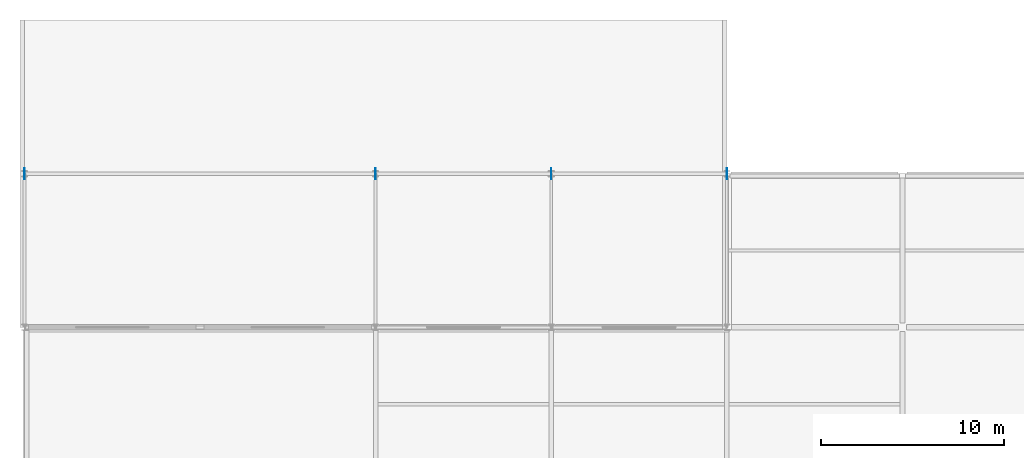
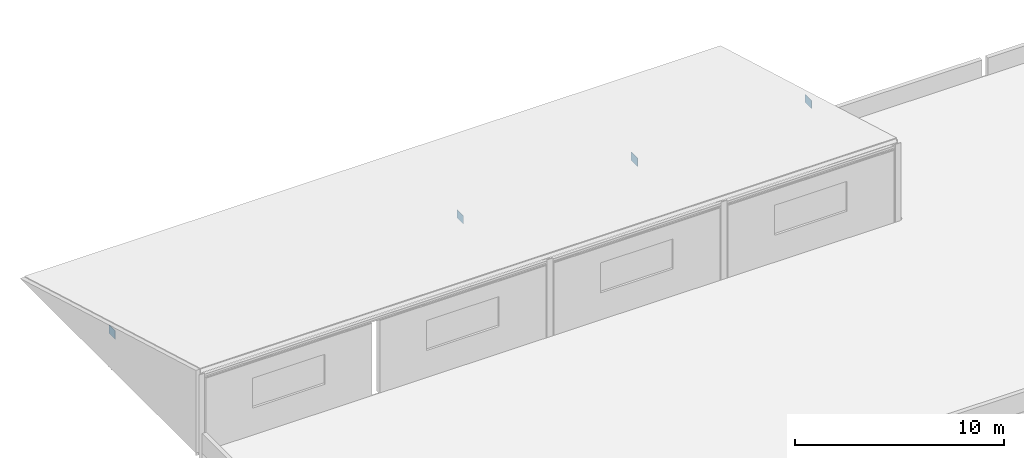
# One storey, part 37 of 52: 4 plates.
"""IFC4 building model written with IfcOpenShell, lengths in metres."""

import ifcopenshell
import ifcopenshell.guid

model = None  # the IFC model being written
_history = None  # IfcOwnerHistory: only IFC2X3 demands one
_inside = {}  # id of a spatial element -> (the spatial element, [elements in it])
_under = {}  # id of a project, library or spatial element -> (it, [spatial elements below it])
_declared = {}  # id of a project -> (the project, [libraries it declares])
_typed = {}  # id of a type object -> (the type object, [elements of that type])
_made_of = {}  # id of a material, layer set ... -> (it, [elements and type objects made of it])


def new_model(schema):
    """Start an empty IFC model of exactly this schema.

    Asked for "IFC4X3", IfcOpenShell would pick the latest addendum, in which some entities
    have other attributes; the version numbers below select the first issue.
    IFC2X3 requires an IfcOwnerHistory on every rooted entity: one is made here for all.
    """
    global model, _history
    if schema == "IFC4X3":
        model = ifcopenshell.file(schema_version=(4, 3, 0, 0))
    else:
        model = ifcopenshell.file(schema=schema)
    _inside.clear()
    _under.clear()
    _declared.clear()
    _typed.clear()
    _made_of.clear()
    _history = None
    if model.schema == "IFC2X3":
        org = make("IfcOrganization", Name="unknown")
        user = make(
            "IfcPersonAndOrganization",
            ThePerson=make("IfcPerson", FamilyName="unknown"),
            TheOrganization=org,
        )
        app = make(
            "IfcApplication",
            ApplicationDeveloper=org,
            Version="unknown",
            ApplicationFullName="unknown",
            ApplicationIdentifier="unknown",
        )
        _history = make(
            "IfcOwnerHistory",
            OwningUser=user,
            OwningApplication=app,
            ChangeAction="ADDED",
            CreationDate=0,
        )
    return model


def make(cls, **values):
    """One entity of the class cls with the attributes given. An attribute that is None is left unset."""
    return model.create_entity(
        cls, **{name: value for name, value in values.items() if value is not None}
    )


def rooted(cls, **values):
    """An entity with a GlobalId (a new one), such as an element, a storey or a relation."""
    return make(cls, GlobalId=ifcopenshell.guid.new(), OwnerHistory=_history, **values)


def si_unit(unit_type, name, prefix=None):
    """IfcSIUnit, for example si_unit("LENGTHUNIT", "METRE", prefix="MILLI")."""
    return make("IfcSIUnit", UnitType=unit_type, Prefix=prefix, Name=name)


def assignment(units):
    """IfcUnitAssignment: the units of a project."""
    return None if units is None else make("IfcUnitAssignment", Units=units)


def point(xyz):
    """IfcCartesianPoint."""
    return None if xyz is None else make("IfcCartesianPoint", Coordinates=xyz)


def direction(xyz):
    """IfcDirection."""
    return None if xyz is None else make("IfcDirection", DirectionRatios=xyz)


def frame(location, z_axis=None, x_axis=None):
    """IfcAxis2Placement3D, a coordinate frame: its origin and axes. An axis left out is left unset."""
    return make(
        "IfcAxis2Placement3D",
        Location=point(location),
        Axis=direction(z_axis),
        RefDirection=direction(x_axis),
    )


def frame_2d(location, x_axis=None):
    """IfcAxis2Placement2D, a coordinate frame in the plane: its origin and x axis."""
    return make(
        "IfcAxis2Placement2D", Location=point(location), RefDirection=direction(x_axis)
    )


def origin():
    """The frame at (0, 0, 0) with its axes left unset."""
    return frame((0.0, 0.0, 0.0))


def origin_2d():
    """The frame at (0, 0) in the plane with its x axis left unset."""
    return frame_2d((0.0, 0.0))


def place(relative_to, where):
    """IfcLocalPlacement: puts the frame where relative to a parent placement (None: the world)."""
    return make(
        "IfcLocalPlacement", PlacementRelTo=relative_to, RelativePlacement=where
    )


def context(
    kind, dimensions, precision=None, world=None, true_north=None, identifier=None
):
    """IfcGeometricRepresentationContext, for example the 3D "Model" context."""
    return make(
        "IfcGeometricRepresentationContext",
        ContextIdentifier=identifier,
        ContextType=kind,
        CoordinateSpaceDimension=dimensions,
        Precision=precision,
        WorldCoordinateSystem=world,
        TrueNorth=true_north,
    )


def subcontext(parent, identifier, kind, view, scale=None):
    """IfcGeometricRepresentationSubContext, for example "Body" below "Model"."""
    return make(
        "IfcGeometricRepresentationSubContext",
        ContextIdentifier=identifier,
        ContextType=kind,
        ParentContext=parent,
        TargetScale=scale,
        TargetView=view,
    )


def project(units=None, contexts=None):
    """IfcProject with its units and contexts."""
    return rooted(
        "IfcProject",
        Name="project",
        RepresentationContexts=contexts,
        UnitsInContext=assignment(units),
    )


def spatial(cls, under=None, at=None, **own):
    """A site, building, storey or space (cls), placed at a placement, below another one or the project."""
    s = rooted(cls, ObjectPlacement=at, **own)
    if under is not None:
        _under.setdefault(under.id(), (under, []))[1].append(s)
    return s


def profile(cls, at=None, kind="AREA", **sizes):
    """A parametric profile (cls). Its sizes go by their IFC names, for example OverallWidth=200.0."""
    return make(cls, ProfileType=kind, Position=at, **sizes)


def rectangle(**sizes):
    """IfcRectangleProfileDef."""
    return profile("IfcRectangleProfileDef", **sizes)


def extrude(swept, where, along, depth):
    """IfcExtrudedAreaSolid: the profile swept, set in the frame where, extruded along a direction by depth."""
    return make(
        "IfcExtrudedAreaSolid",
        SweptArea=swept,
        Position=where,
        ExtrudedDirection=direction(along),
        Depth=depth,
    )


def shape(context_of_items, identifier, shape_type, items):
    """IfcShapeRepresentation: the items that make up one representation, for example the "Body"."""
    return make(
        "IfcShapeRepresentation",
        ContextOfItems=context_of_items,
        RepresentationIdentifier=identifier,
        RepresentationType=shape_type,
        Items=items,
    )


def material(Name=None, Category=None):
    """IfcMaterial."""
    return make("IfcMaterial", Name=Name, Category=Category)


def layer(
    of_material, thickness, ventilated=None, Name=None, Category=None, Priority=None
):
    """IfcMaterialLayer: one layer of a wall or slab, of a material (None: an air gap)."""
    return make(
        "IfcMaterialLayer",
        Material=of_material,
        LayerThickness=thickness,
        IsVentilated=ventilated,
        Name=Name,
        Category=Category,
        Priority=Priority,
    )


def layer_set(layers, Name=None):
    """IfcMaterialLayerSet."""
    return make("IfcMaterialLayerSet", MaterialLayers=layers, LayerSetName=Name)


def made_of(thing, what):
    """Note that an element or type object is made of a material, layer set ...; save() writes the relation."""
    if what is not None:
        _made_of.setdefault(what.id(), (what, []))[1].append(thing)
    return thing


def type_object(cls, material=None, **own):
    """A type object (cls), such as IfcWallType, which elements share."""
    return made_of(rooted(cls, **own), material)


def element(
    cls,
    number,
    at=None,
    inside=None,
    cuts=None,
    type_object=None,
    material=None,
    context=None,
    identifier="Body",
    shape_type=None,
    held_by="IfcProductDefinitionShape",
    body=None,
    shapes=None,
    **own,
):
    """One element of the class cls, such as IfcWall. Its Tag is "e" and its number.

    at: its placement. inside: the storey or other place that contains it. cuts: it is an
    opening in that element (IfcRelVoidsElement). A single representation is given by context,
    identifier, shape_type and body (its items); several are given by shapes. held_by: the class
    of the entity that holds the representations. save() writes the other relations.
    """
    e = rooted(cls, Tag="e%d" % number, ObjectPlacement=at, **own)
    if body is not None:
        shapes = [shape(context, identifier, shape_type, body)]
    if shapes is not None:
        e.Representation = make(held_by, Representations=shapes)
    if inside is not None:
        _inside.setdefault(inside.id(), (inside, []))[1].append(e)
    if cuts is not None:
        rooted(
            "IfcRelVoidsElement", RelatingBuildingElement=cuts, RelatedOpeningElement=e
        )
    if type_object is not None:
        _typed.setdefault(type_object.id(), (type_object, []))[1].append(e)
    return made_of(e, material)


def aggregate(whole, parts):
    """IfcRelAggregates: a whole, such as a stair, and the parts it consists of."""
    return rooted("IfcRelAggregates", RelatingObject=whole, RelatedObjects=parts)


def save(model, path):
    """Write the relations noted so far, then the file.

    IfcRelAggregates (storeys below a building ...), IfcRelContainedInSpatialStructure (elements
    in a storey), IfcRelDefinesByType, IfcRelAssociatesMaterial and IfcRelDeclares: one each for
    every whole, place, type object, material and project.
    """
    for whole, parts in _under.values():
        aggregate(whole, parts)
    for where, things in _inside.values():
        rooted(
            "IfcRelContainedInSpatialStructure",
            RelatedElements=things,
            RelatingStructure=where,
        )
    for kind, things in _typed.values():
        rooted("IfcRelDefinesByType", RelatedObjects=things, RelatingType=kind)
    for what, things in _made_of.values():
        rooted("IfcRelAssociatesMaterial", RelatedObjects=things, RelatingMaterial=what)
    for by, libraries in _declared.values():
        rooted("IfcRelDeclares", RelatingContext=by, RelatedDefinitions=libraries)
    model.write(path)


model = new_model("IFC4")

# Units and contexts
model_context = context("Model", 3, precision=1e-05, world=origin(), true_north=direction((0.0, 1.0)))
body_context = subcontext(model_context, "Body", "Model", "MODEL_VIEW")
ifc_project = project(units=[si_unit("LENGTHUNIT", "METRE"), si_unit("AREAUNIT", "SQUARE_METRE"), si_unit("VOLUMEUNIT", "CUBIC_METRE"), si_unit("PLANEANGLEUNIT", "RADIAN"), si_unit("MASSUNIT", "GRAM", prefix="KILO")], contexts=[model_context])

# Site, building, storey
site_placement = place(None, origin())
site = spatial("IfcSite", under=ifc_project, at=site_placement, CompositionType="ELEMENT")
building_placement = place(site_placement, origin())
building = spatial("IfcBuilding", under=site, at=building_placement, Name="Lornevale Opera House", CompositionType="ELEMENT")
storey_placement = place(building_placement, frame((0.0, 0.0, 15.0)))
storey = spatial("IfcBuildingStorey", under=building, at=storey_placement, Name="L04", CompositionType="ELEMENT", Elevation=15.0)

# Plates
ifc_material = material(Name="Structural Steel CSA G40.21 Grade 350W (350 MPa)", Category="steel")
ifc_layer = layer(ifc_material, 0.02197265625)
ifc_layer_set = layer_set([ifc_layer], Name="Structural Steel CSA G40.21 Grade 350W (350 MPa)")
plate_type = type_object("IfcPlateType", Name="Studio Truss Gusset 600x480x22", PredefinedType="USERDEFINED", material=ifc_layer_set)
for number, where, z_axis, x_axis, name in (
    (1, (0.0, 92.39990234375, 1.639892578125), (0.0, 0.0, 1.0), (0.0, 1.0, 0.0), "Studio Truss Gusset PT-0038"),
    (2, (19.199951171875, 92.39990234375, 1.639892578125), (0.0, 0.0, 1.0), (0.0, 1.0, 0.0), "Studio Truss Gusset PT-0039"),
    (3, (28.800048828125, 92.39990234375, 1.639892578125), (0.0, 0.0, 1.0), (0.0, 1.0, 0.0), "Studio Truss Gusset PT-0040"),
    (4, (38.39990234375, 92.39990234375, 1.639892578125), (0.0, 0.0, 1.0), (0.0, 1.0, 0.0), "Studio Truss Gusset PT-0041"),
):
    element("IfcPlate", number, at=place(storey_placement, frame(where, z_axis=z_axis, x_axis=x_axis)), inside=storey, type_object=plate_type, Name=name, ObjectType="GUSSET PLATE", PredefinedType="USERDEFINED", context=body_context, shape_type="SweptSolid", body=[
        extrude(rectangle(XDim=0.60009765625, YDim=0.02197265625, at=origin_2d()), origin(), (0.0, 0.0, 1.0), 0.47998046875),
    ])

save(model, "model.ifc")
